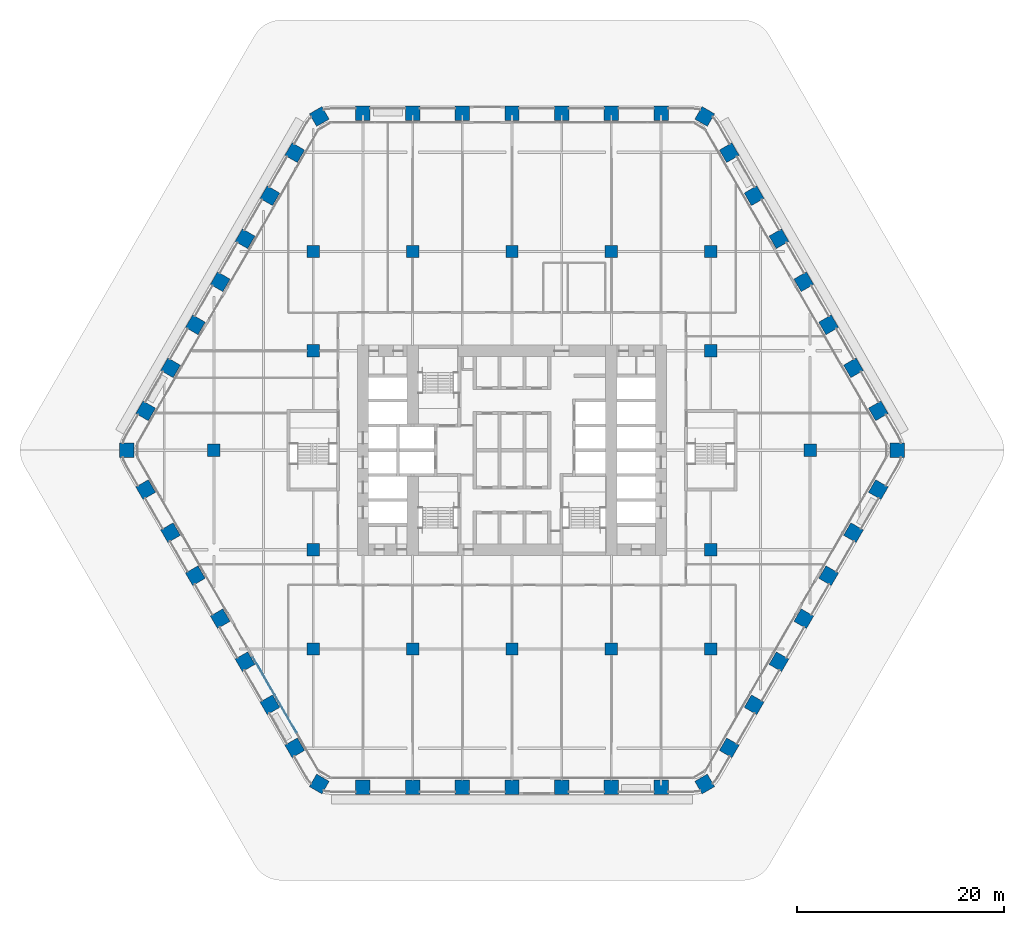
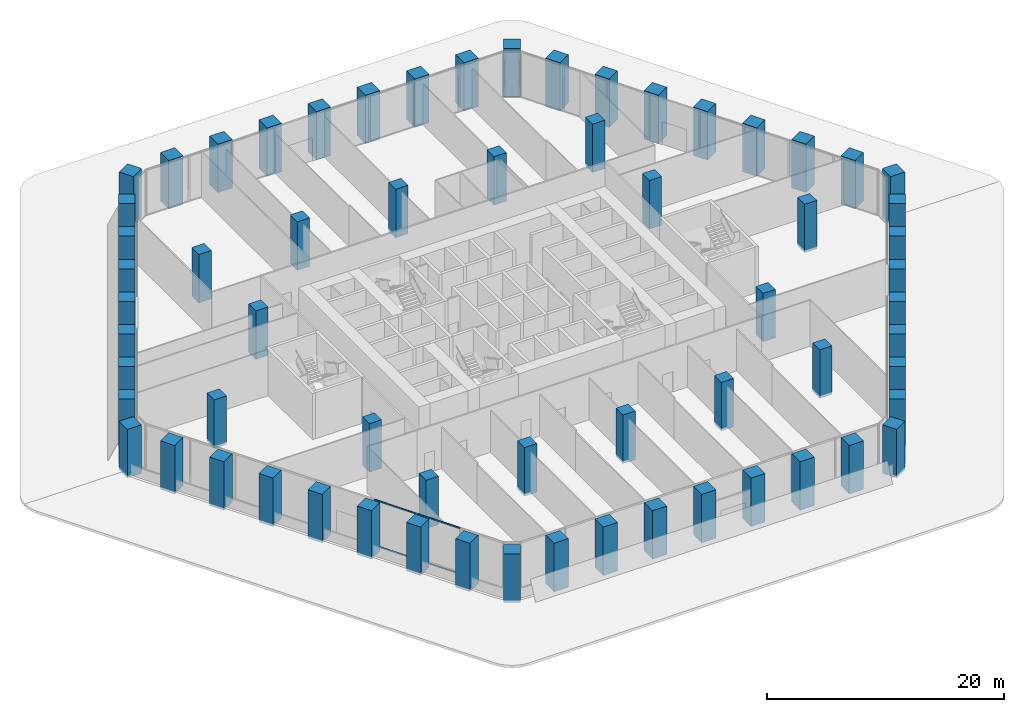
# One storey, part 1 of 29: 64 columns, 4 members, 1 element without a shape of its own.
"""IFC4 building model written with IfcOpenShell, lengths in metres."""

from ifc_helpers import new_model, si_unit, direction, frame, origin, origin_2d, place, context, subcontext, project, spatial, rectangle, extrude, material, material_profile, profile_set, type_object, element, aggregate, save


model = new_model("IFC4")

# Units and contexts
model_context = context("Model", 3, precision=1e-05, world=origin(), true_north=direction((0.0, 1.0)))
body_context = subcontext(model_context, "Body", "Model", "MODEL_VIEW")
ifc_project = project(units=[si_unit("LENGTHUNIT", "METRE"), si_unit("AREAUNIT", "SQUARE_METRE"), si_unit("VOLUMEUNIT", "CUBIC_METRE"), si_unit("PLANEANGLEUNIT", "RADIAN"), si_unit("MASSUNIT", "GRAM", prefix="KILO")], contexts=[model_context])

# Site, building, storey
site_placement = place(None, origin())
site = spatial("IfcSite", under=ifc_project, at=site_placement, CompositionType="ELEMENT")
building_placement = place(site_placement, origin())
building = spatial("IfcBuilding", under=site, at=building_placement, Name="Kolab Exchange Tower", CompositionType="ELEMENT")
storey_placement = place(building_placement, frame((0.0, 0.0, 17.39990234375)))
storey = spatial("IfcBuildingStorey", under=building, at=storey_placement, Name="L03", CompositionType="ELEMENT", Elevation=17.39990234375)

# Columns
ifc_material_1 = material(Name="Concrete C80/95", Category="concrete")
ifc_material_profile_1 = material_profile(ifc_material_1, rectangle(XDim=1.199951171875, YDim=1.199951171875, at=origin_2d()), Name="RC1200")
ifc_profile_set_1 = profile_set([ifc_material_profile_1], Name="Concrete C80/95")
column_type_1 = type_object("IfcColumnType", Name="INTERIOR COLUMN 1200 SQ C80/95", PredefinedType="COLUMN", material=ifc_profile_set_1)
for number, where, z_axis, x_axis, name in (
    (1, (-28.800048828125, 0.0, -0.25), (0.0, 0.0, 1.0), (1.0, 0.0, 0.0), "col/L03/I-G11"),
    (2, (-19.199951171875, -19.199951171875, -0.25), (0.0, 0.0, 1.0), (1.0, 0.0, 0.0), "col/L03/I-I7"),
    (3, (-19.199951171875, -9.60009765625, -0.25), (0.0, 0.0, 1.0), (1.0, 0.0, 0.0), "col/L03/I-I9"),
    (4, (-19.199951171875, 9.60009765625, -0.25), (0.0, 0.0, 1.0), (1.0, 0.0, 0.0), "col/L03/I-I13"),
    (5, (-19.199951171875, 19.199951171875, -0.25), (0.0, 0.0, 1.0), (1.0, 0.0, 0.0), "col/L03/I-I15"),
    (6, (-9.60009765625, -19.199951171875, -0.25), (0.0, 0.0, 1.0), (1.0, 0.0, 0.0), "col/L03/I-K7"),
    (7, (-9.60009765625, 19.199951171875, -0.25), (0.0, 0.0, 1.0), (1.0, 0.0, 0.0), "col/L03/I-K15"),
    (8, (0.0, -19.199951171875, -0.25), (0.0, 0.0, 1.0), (1.0, 0.0, 0.0), "col/L03/I-M7"),
    (9, (0.0, 19.199951171875, -0.25), (0.0, 0.0, 1.0), (1.0, 0.0, 0.0), "col/L03/I-M15"),
    (10, (9.60009765625, -19.199951171875, -0.25), (0.0, 0.0, 1.0), (1.0, 0.0, 0.0), "col/L03/I-O7"),
    (11, (9.60009765625, 19.199951171875, -0.25), (0.0, 0.0, 1.0), (1.0, 0.0, 0.0), "col/L03/I-O15"),
    (12, (19.199951171875, -19.199951171875, -0.25), (0.0, 0.0, 1.0), (1.0, 0.0, 0.0), "col/L03/I-Q7"),
    (13, (19.199951171875, -9.60009765625, -0.25), (0.0, 0.0, 1.0), (1.0, 0.0, 0.0), "col/L03/I-Q9"),
    (14, (19.199951171875, 9.60009765625, -0.25), (0.0, 0.0, 1.0), (1.0, 0.0, 0.0), "col/L03/I-Q13"),
    (15, (19.199951171875, 19.199951171875, -0.25), (0.0, 0.0, 1.0), (1.0, 0.0, 0.0), "col/L03/I-Q15"),
    (16, (28.800048828125, 0.0, -0.25), (0.0, 0.0, 1.0), (1.0, 0.0, 0.0), "col/L03/I-S11"),
):
    element("IfcColumn", number, at=place(storey_placement, frame(where, z_axis=z_axis, x_axis=x_axis)), inside=storey, type_object=column_type_1, Name=name, PredefinedType="COLUMN", context=body_context, shape_type="SweptSolid", body=[
        extrude(rectangle(XDim=1.199951171875, YDim=1.199951171875, at=origin_2d()), origin(), (0.0, 0.0, 1.0), 5.0),
    ])
ifc_material_profile_2 = material_profile(ifc_material_1, rectangle(XDim=1.39990234375, YDim=1.39990234375, at=origin_2d()), Name="RC1400")
ifc_profile_set_2 = profile_set([ifc_material_profile_2], Name="Concrete C80/95")
column_type_2 = type_object("IfcColumnType", Name="PERIMETER COLUMN 1400 SQ C80/95", PredefinedType="COLUMN", material=ifc_profile_set_2)
for number, where, z_axis, x_axis, name in (
    (17, (-18.617919921875, 32.247314453125, -0.25), (0.0, 0.0, 1.0), (0.866025403784, 0.5, 0.0), "col/L03/F1-01"),
    (18, (-14.39990234375, 32.555419921875, -0.25), (0.0, 0.0, 1.0), (1.0, 0.0, 0.0), "col/L03/F1-02"),
    (19, (-9.60009765625, 32.555419921875, -0.25), (0.0, 0.0, 1.0), (1.0, 0.0, 0.0), "col/L03/F1-03"),
    (20, (-4.800048828125, 32.555419921875, -0.25), (0.0, 0.0, 1.0), (1.0, 0.0, 0.0), "col/L03/F1-04"),
    (21, (0.0, 32.555419921875, -0.25), (0.0, 0.0, 1.0), (1.0, 0.0, 0.0), "col/L03/F1-05"),
    (22, (4.800048828125, 32.555419921875, -0.25), (0.0, 0.0, 1.0), (1.0, 0.0, 0.0), "col/L03/F1-06"),
    (23, (9.60009765625, 32.555419921875, -0.25), (0.0, 0.0, 1.0), (1.0, 0.0, 0.0), "col/L03/F1-07"),
    (24, (14.39990234375, 32.555419921875, -0.25), (0.0, 0.0, 1.0), (1.0, 0.0, 0.0), "col/L03/F1-08"),
    (25, (18.617919921875, 32.247314453125, -0.25), (0.0, 0.0, 1.0), (0.5, 0.866025403784, 0.0), "col/L03/F2-01"),
    (26, (20.993896484375, 28.74853515625, -0.25), (0.0, 0.0, 1.0), (0.866025403784, 0.5, 0.0), "col/L03/F2-02"),
    (27, (23.393798828125, 24.591552734375, -0.25), (0.0, 0.0, 1.0), (0.866025403784, 0.5, 0.0), "col/L03/F2-03"),
    (28, (25.793701171875, 20.4345703125, -0.25), (0.0, 0.0, 1.0), (0.866025403784, 0.5, 0.0), "col/L03/F2-04"),
    (29, (28.19384765625, 16.277587890625, -0.25), (0.0, 0.0, 1.0), (0.866025403784, 0.5, 0.0), "col/L03/F2-05"),
    (30, (30.59375, 12.120849609375, -0.25), (0.0, 0.0, 1.0), (0.866025403784, 0.5, 0.0), "col/L03/F2-06"),
    (31, (32.993896484375, 7.9638671875, -0.25), (0.0, 0.0, 1.0), (0.866025403784, 0.5, 0.0), "col/L03/F2-07"),
    (32, (35.393798828125, 3.806884765625, -0.25), (0.0, 0.0, 1.0), (0.866025403784, 0.5, 0.0), "col/L03/F2-08"),
    (33, (37.23583984375, 0.0, -0.25), (0.0, 0.0, 1.0), (1.0, 0.0, 0.0), "col/L03/F3-01"),
    (34, (35.393798828125, -3.806884765625, -0.25), (0.0, 0.0, 1.0), (0.5, 0.866025403784, 0.0), "col/L03/F3-02"),
    (35, (32.993896484375, -7.9638671875, -0.25), (0.0, 0.0, 1.0), (0.5, 0.866025403784, 0.0), "col/L03/F3-03"),
    (36, (30.59375, -12.120849609375, -0.25), (0.0, 0.0, 1.0), (0.5, 0.866025403784, 0.0), "col/L03/F3-04"),
    (37, (28.19384765625, -16.277587890625, -0.25), (0.0, 0.0, 1.0), (0.5, 0.866025403784, 0.0), "col/L03/F3-05"),
    (38, (25.793701171875, -20.4345703125, -0.25), (0.0, 0.0, 1.0), (0.5, 0.866025403784, 0.0), "col/L03/F3-06"),
    (39, (23.393798828125, -24.591552734375, -0.25), (0.0, 0.0, 1.0), (0.5, 0.866025403784, 0.0), "col/L03/F3-07"),
    (40, (20.993896484375, -28.74853515625, -0.25), (0.0, 0.0, 1.0), (0.5, 0.866025403784, 0.0), "col/L03/F3-08"),
    (41, (18.617919921875, -32.247314453125, -0.25), (0.0, 0.0, 1.0), (0.866025403784, 0.5, 0.0), "col/L03/F4-01"),
    (42, (14.39990234375, -32.555419921875, -0.25), (0.0, 0.0, 1.0), (1.0, 0.0, 0.0), "col/L03/F4-02"),
    (43, (9.60009765625, -32.555419921875, -0.25), (0.0, 0.0, 1.0), (1.0, 0.0, 0.0), "col/L03/F4-03"),
    (44, (4.800048828125, -32.555419921875, -0.25), (0.0, 0.0, 1.0), (1.0, 0.0, 0.0), "col/L03/F4-04"),
    (45, (0.0, -32.555419921875, -0.25), (0.0, 0.0, 1.0), (1.0, 0.0, 0.0), "col/L03/F4-05"),
    (46, (-4.800048828125, -32.555419921875, -0.25), (0.0, 0.0, 1.0), (1.0, 0.0, 0.0), "col/L03/F4-06"),
    (47, (-9.60009765625, -32.555419921875, -0.25), (0.0, 0.0, 1.0), (1.0, 0.0, 0.0), "col/L03/F4-07"),
    (48, (-14.39990234375, -32.555419921875, -0.25), (0.0, 0.0, 1.0), (1.0, 0.0, 0.0), "col/L03/F4-08"),
    (49, (-18.617919921875, -32.247314453125, -0.25), (0.0, 0.0, 1.0), (0.5, 0.866025403784, 0.0), "col/L03/F5-01"),
    (50, (-20.993896484375, -28.74853515625, -0.25), (0.0, 0.0, 1.0), (0.866025403784, 0.5, 0.0), "col/L03/F5-02"),
    (51, (-23.393798828125, -24.591552734375, -0.25), (0.0, 0.0, 1.0), (0.866025403784, 0.5, 0.0), "col/L03/F5-03"),
    (52, (-25.793701171875, -20.4345703125, -0.25), (0.0, 0.0, 1.0), (0.866025403784, 0.5, 0.0), "col/L03/F5-04"),
    (53, (-28.19384765625, -16.277587890625, -0.25), (0.0, 0.0, 1.0), (0.866025403784, 0.5, 0.0), "col/L03/F5-05"),
    (54, (-30.59375, -12.120849609375, -0.25), (0.0, 0.0, 1.0), (0.866025403784, 0.5, 0.0), "col/L03/F5-06"),
    (55, (-32.993896484375, -7.9638671875, -0.25), (0.0, 0.0, 1.0), (0.866025403784, 0.5, 0.0), "col/L03/F5-07"),
    (56, (-35.393798828125, -3.806884765625, -0.25), (0.0, 0.0, 1.0), (0.866025403784, 0.5, 0.0), "col/L03/F5-08"),
    (57, (-37.23583984375, 0.0, -0.25), (0.0, 0.0, 1.0), (1.0, 0.0, 0.0), "col/L03/F6-01"),
    (58, (-35.393798828125, 3.806884765625, -0.25), (0.0, 0.0, 1.0), (0.5, 0.866025403784, 0.0), "col/L03/F6-02"),
    (59, (-32.993896484375, 7.9638671875, -0.25), (0.0, 0.0, 1.0), (0.5, 0.866025403784, 0.0), "col/L03/F6-03"),
    (60, (-30.59375, 12.120849609375, -0.25), (0.0, 0.0, 1.0), (0.5, 0.866025403784, 0.0), "col/L03/F6-04"),
    (61, (-28.19384765625, 16.277587890625, -0.25), (0.0, 0.0, 1.0), (0.5, 0.866025403784, 0.0), "col/L03/F6-05"),
    (62, (-25.793701171875, 20.4345703125, -0.25), (0.0, 0.0, 1.0), (0.5, 0.866025403784, 0.0), "col/L03/F6-06"),
    (63, (-23.393798828125, 24.591552734375, -0.25), (0.0, 0.0, 1.0), (0.5, 0.866025403784, 0.0), "col/L03/F6-07"),
    (64, (-20.993896484375, 28.74853515625, -0.25), (0.0, 0.0, 1.0), (0.5, 0.866025403784, 0.0), "col/L03/F6-08"),
):
    element("IfcColumn", number, at=place(storey_placement, frame(where, z_axis=z_axis, x_axis=x_axis)), inside=storey, type_object=column_type_2, Name=name, PredefinedType="COLUMN", context=body_context, shape_type="SweptSolid", body=[
        extrude(rectangle(XDim=1.39990234375, YDim=1.39990234375, at=origin_2d()), origin(), (0.0, 0.0, 1.0), 5.0),
    ])

# Curtain wall, members
ifc_material_2 = material(Name="Aluminium EN AW-6063 T6", Category="aluminium")
curtain_wall_type = type_object("IfcCurtainWallType", Name="UNITISED LOW ZONE CURTAIN WALL", PredefinedType="NOTDEFINED", material=ifc_material_2)
curtain_wall_placement = place(storey_placement, origin())
curtain_wall = element("IfcCurtainWall", 65, at=curtain_wall_placement, inside=storey, type_object=curtain_wall_type, Name="cw/L03/F5-1", PredefinedType="NOTDEFINED")
ifc_material_profile_3 = material_profile(ifc_material_2, rectangle(XDim=0.06005859375, YDim=0.10009765625, at=origin_2d()), Name="RECT 60X100")
ifc_profile_set_3 = profile_set([ifc_material_profile_3], Name="Aluminium EN AW-6063 T6")
member_type = type_object("IfcMemberType", Name="UNITISED LOW ZONE TRANSOM 60 X 100", PredefinedType="USERDEFINED", material=ifc_profile_set_3)
member_1_placement = place(storey_placement, frame((-20.823974609375, -27.282470703125, 0.030029296875), z_axis=(-0.49999322259, 0.866029316688, 0.0), x_axis=(-0.866029316688, -0.49999322259, 0.0)))
member_1 = element("IfcMember", 66, at=member_1_placement, type_object=member_type, Name="CW1 transom 2.1", ObjectType="TRANSOM", PredefinedType="USERDEFINED", context=body_context, shape_type="SweptSolid", body=[
    extrude(rectangle(XDim=0.06005859375, YDim=0.10009765625, at=origin_2d()), origin(), (0.0, 0.0, 1.0), 4.16259765625),
])
member_2_placement = place(storey_placement, frame((-20.823974609375, -27.282470703125, 4.72021484375), z_axis=(-0.49999322259, 0.866029316688, 0.0), x_axis=(-0.866029316688, -0.49999322259, 0.0)))
member_2 = element("IfcMember", 67, at=member_2_placement, type_object=member_type, Name="CW1 transom 2.2", ObjectType="TRANSOM", PredefinedType="USERDEFINED", context=body_context, shape_type="SweptSolid", body=[
    extrude(rectangle(XDim=0.06005859375, YDim=0.10009765625, at=origin_2d()), origin(), (0.0, 0.0, 1.0), 4.16259765625),
])
member_3_placement = place(storey_placement, frame((-22.935302734375, -23.62548828125, 0.030029296875), z_axis=(-0.500027577057, 0.866009481578, 0.0), x_axis=(-0.866009481578, -0.500027577057, 0.0)))
member_3 = element("IfcMember", 68, at=member_3_placement, type_object=member_type, Name="CW1 transom 3.1", ObjectType="TRANSOM", PredefinedType="USERDEFINED", context=body_context, shape_type="SweptSolid", body=[
    extrude(rectangle(XDim=0.06005859375, YDim=0.10009765625, at=origin_2d()), origin(), (0.0, 0.0, 1.0), 4.132568359375),
])
member_4_placement = place(storey_placement, frame((-22.935302734375, -23.62548828125, 4.72021484375), z_axis=(-0.500027577057, 0.866009481578, 0.0), x_axis=(-0.866009481578, -0.500027577057, 0.0)))
member_4 = element("IfcMember", 69, at=member_4_placement, type_object=member_type, Name="CW1 transom 3.2", ObjectType="TRANSOM", PredefinedType="USERDEFINED", context=body_context, shape_type="SweptSolid", body=[
    extrude(rectangle(XDim=0.06005859375, YDim=0.10009765625, at=origin_2d()), origin(), (0.0, 0.0, 1.0), 4.132568359375),
])
aggregate(curtain_wall, [member_1, member_2, member_3, member_4])

save(model, "model.ifc")
